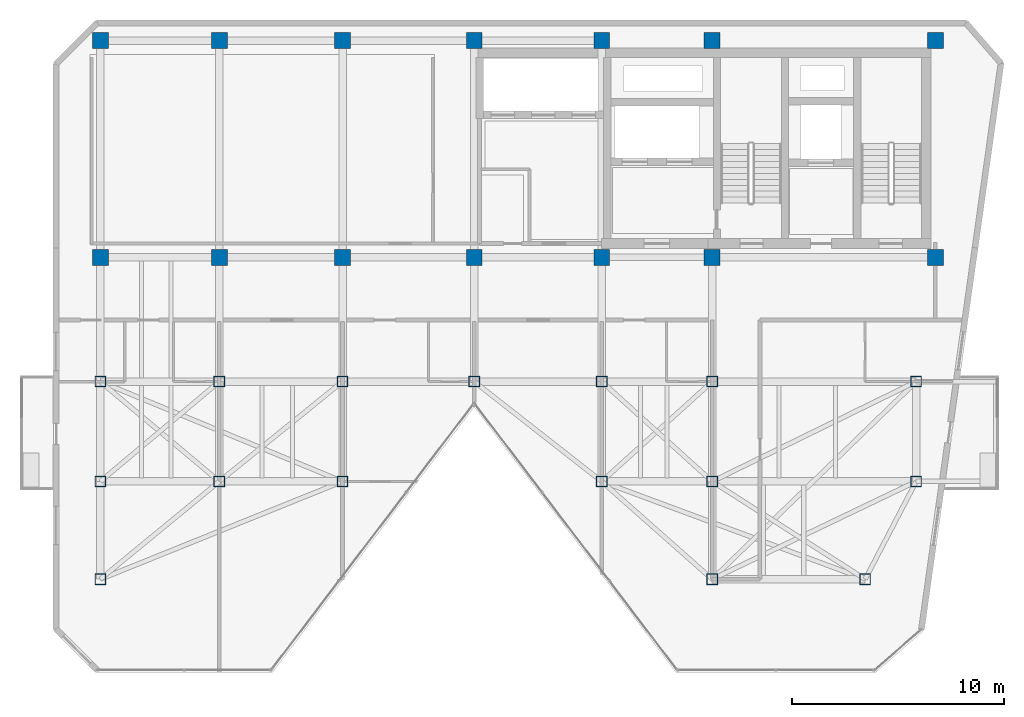
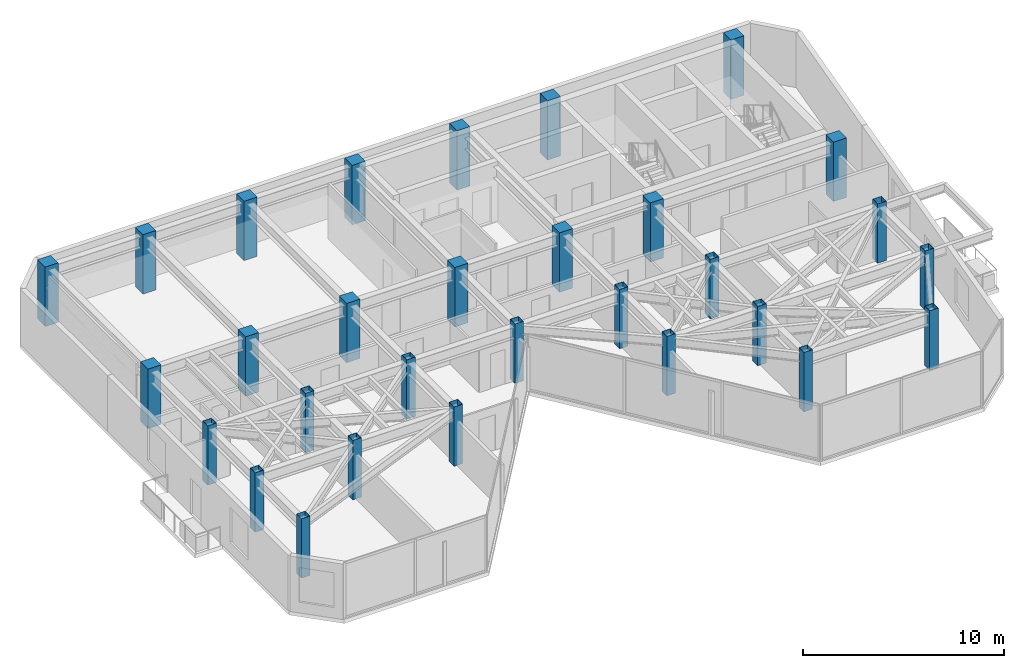
# One storey, part 1 of 17: 30 columns.
"""IFC4 building model written with IfcOpenShell, lengths in metres."""

from ifc_helpers import new_model, si_unit, direction, frame, origin, origin_2d, place, context, subcontext, project, spatial, rectangle, hollow_rectangle, extrude, material, material_profile, profile_set, type_object, element, save


model = new_model("IFC4")

# Units and contexts
model_context = context("Model", 3, precision=1e-05, world=origin(), true_north=direction((0.0, 1.0)))
body_context = subcontext(model_context, "Body", "Model", "MODEL_VIEW")
ifc_project = project(units=[si_unit("LENGTHUNIT", "METRE"), si_unit("AREAUNIT", "SQUARE_METRE"), si_unit("VOLUMEUNIT", "CUBIC_METRE"), si_unit("PLANEANGLEUNIT", "RADIAN"), si_unit("MASSUNIT", "GRAM", prefix="KILO")], contexts=[model_context])

# Site, building, storey
site_placement = place(None, origin())
site = spatial("IfcSite", under=ifc_project, at=site_placement, CompositionType="ELEMENT")
building_placement = place(site_placement, origin())
building = spatial("IfcBuilding", under=site, at=building_placement, Name="Kravanh Interchange Tower", CompositionType="ELEMENT")
storey_placement = place(building_placement, frame((0.0, 0.0, 249.0)))
storey = spatial("IfcBuildingStorey", under=building, at=storey_placement, Name="L60", CompositionType="ELEMENT", Elevation=249.0)

# Columns
ifc_material_1 = material(Name="Structural Steel S355", Category="steel")
ifc_material_profile_1 = material_profile(ifc_material_1, hollow_rectangle(XDim=0.5, YDim=0.5, WallThickness=0.02001953125, at=origin_2d()), Name="HSS500X500X20")
ifc_profile_set_1 = profile_set([ifc_material_profile_1], Name="Structural Steel S355")
column_type_1 = type_object("IfcColumnType", Name="Column HSS500X500X20 Structural Steel S355", PredefinedType="COLUMN", material=ifc_profile_set_1)
for number, where, z_axis, x_axis, name in (
    (1, (44.800048828125, 31.5, 0.0), (0.0, 0.0, 1.0), (1.0, 0.0, 0.0), "L60 Column CH_E1"),
    (2, (50.800048828125, 31.5, 0.0), (0.0, 0.0, 1.0), (1.0, 0.0, 0.0), "L60 Column CH_E2"),
    (3, (56.0, 31.5, 0.0), (0.0, 0.0, 1.0), (1.0, 0.0, 0.0), "L60 Column CH_E3"),
    (4, (65.60009765625, 31.5, 0.0), (0.0, 0.0, 1.0), (1.0, 0.0, 0.0), "L60 Column CH_E4"),
    (5, (38.60009765625, 31.5, 0.0), (0.0, 0.0, 1.0), (1.0, 0.0, 0.0), "L60 Column CH_E5"),
    (6, (32.800048828125, 31.5, 0.0), (0.0, 0.0, 1.0), (1.0, 0.0, 0.0), "L60 Column CH_E6"),
    (7, (27.199951171875, 31.5, 0.0), (0.0, 0.0, 1.0), (1.0, 0.0, 0.0), "L60 Column CH_E7"),
    (8, (38.60009765625, 26.800048828125, 0.0), (0.0, 0.0, 1.0), (1.0, 0.0, 0.0), "L60 Column CH_S1"),
    (9, (50.800048828125, 26.800048828125, 0.0), (0.0, 0.0, 1.0), (1.0, 0.0, 0.0), "L60 Column CH_S2"),
    (10, (56.0, 26.800048828125, 0.0), (0.0, 0.0, 1.0), (1.0, 0.0, 0.0), "L60 Column CH_S3"),
    (11, (65.60009765625, 26.800048828125, 0.0), (0.0, 0.0, 1.0), (1.0, 0.0, 0.0), "L60 Column CH_S4"),
    (12, (56.0, 22.199951171875, 0.0), (0.0, 0.0, 1.0), (1.0, 0.0, 0.0), "L60 Column CH_S5"),
    (13, (63.199951171875, 22.199951171875, 0.0), (0.0, 0.0, 1.0), (1.0, 0.0, 0.0), "L60 Column CH_S6"),
    (14, (27.199951171875, 22.199951171875, 0.0), (0.0, 0.0, 1.0), (1.0, 0.0, 0.0), "L60 Column CH_W1"),
    (15, (27.199951171875, 26.800048828125, 0.0), (0.0, 0.0, 1.0), (1.0, 0.0, 0.0), "L60 Column CH_W1B"),
    (16, (32.800048828125, 26.800048828125, 0.0), (0.0, 0.0, 1.0), (1.0, 0.0, 0.0), "L60 Column CH_W3"),
):
    element("IfcColumn", number, at=place(storey_placement, frame(where, z_axis=z_axis, x_axis=x_axis)), inside=storey, type_object=column_type_1, Name=name, PredefinedType="COLUMN", context=body_context, shape_type="SweptSolid", body=[
        extrude(hollow_rectangle(XDim=0.5, YDim=0.5, WallThickness=0.02001953125, at=origin_2d()), origin(), (0.0, 0.0, 1.0), 3.60009765625),
    ])
ifc_material_2 = material(Name="Concrete C60/75", Category="concrete")
ifc_material_profile_2 = material_profile(ifc_material_2, rectangle(XDim=0.75, YDim=0.75, at=origin_2d()), Name="RC750X750")
ifc_profile_set_2 = profile_set([ifc_material_profile_2], Name="Concrete C60/75")
column_type_2 = type_object("IfcColumnType", Name="Column RC750X750 Concrete C60/75", PredefinedType="COLUMN", material=ifc_profile_set_2)
for number, where, z_axis, x_axis, name in (
    (17, (66.5, 47.550048828125, 0.0), (0.0, 0.0, 1.0), (1.0, 0.0, 0.0), "L60 Column CS01"),
    (18, (56.0, 47.550048828125, 0.0), (0.0, 0.0, 1.0), (1.0, 0.0, 0.0), "L60 Column CS02"),
    (19, (66.5, 37.35009765625, 0.0), (0.0, 0.0, 1.0), (1.0, 0.0, 0.0), "L60 Column CS03"),
    (20, (56.0, 37.35009765625, 0.0), (0.0, 0.0, 1.0), (1.0, 0.0, 0.0), "L60 Column CS04"),
    (21, (50.800048828125, 47.550048828125, 0.0), (0.0, 0.0, 1.0), (1.0, 0.0, 0.0), "L60 Column CS05"),
    (22, (50.800048828125, 37.35009765625, 0.0), (0.0, 0.0, 1.0), (1.0, 0.0, 0.0), "L60 Column CS06"),
    (23, (44.800048828125, 37.35009765625, 0.0), (0.0, 0.0, 1.0), (1.0, 0.0, 0.0), "L60 Column CS07"),
    (24, (44.800048828125, 47.550048828125, 0.0), (0.0, 0.0, 1.0), (1.0, 0.0, 0.0), "L60 Column CS08"),
    (25, (38.60009765625, 37.35009765625, 0.0), (0.0, 0.0, 1.0), (1.0, 0.0, 0.0), "L60 Column CS09"),
    (26, (38.60009765625, 47.550048828125, 0.0), (0.0, 0.0, 1.0), (1.0, 0.0, 0.0), "L60 Column CS10"),
    (27, (32.800048828125, 37.35009765625, 0.0), (0.0, 0.0, 1.0), (1.0, 0.0, 0.0), "L60 Column CS11"),
    (28, (32.800048828125, 47.550048828125, 0.0), (0.0, 0.0, 1.0), (1.0, 0.0, 0.0), "L60 Column CS12"),
    (29, (27.199951171875, 37.35009765625, 0.0), (0.0, 0.0, 1.0), (1.0, 0.0, 0.0), "L60 Column CS13"),
    (30, (27.199951171875, 47.550048828125, 0.0), (0.0, 0.0, 1.0), (1.0, 0.0, 0.0), "L60 Column CS14"),
):
    element("IfcColumn", number, at=place(storey_placement, frame(where, z_axis=z_axis, x_axis=x_axis)), inside=storey, type_object=column_type_2, Name=name, PredefinedType="COLUMN", context=body_context, shape_type="SweptSolid", body=[
        extrude(rectangle(XDim=0.75, YDim=0.75, at=origin_2d()), origin(), (0.0, 0.0, 1.0), 3.60009765625),
    ])

save(model, "model.ifc")
